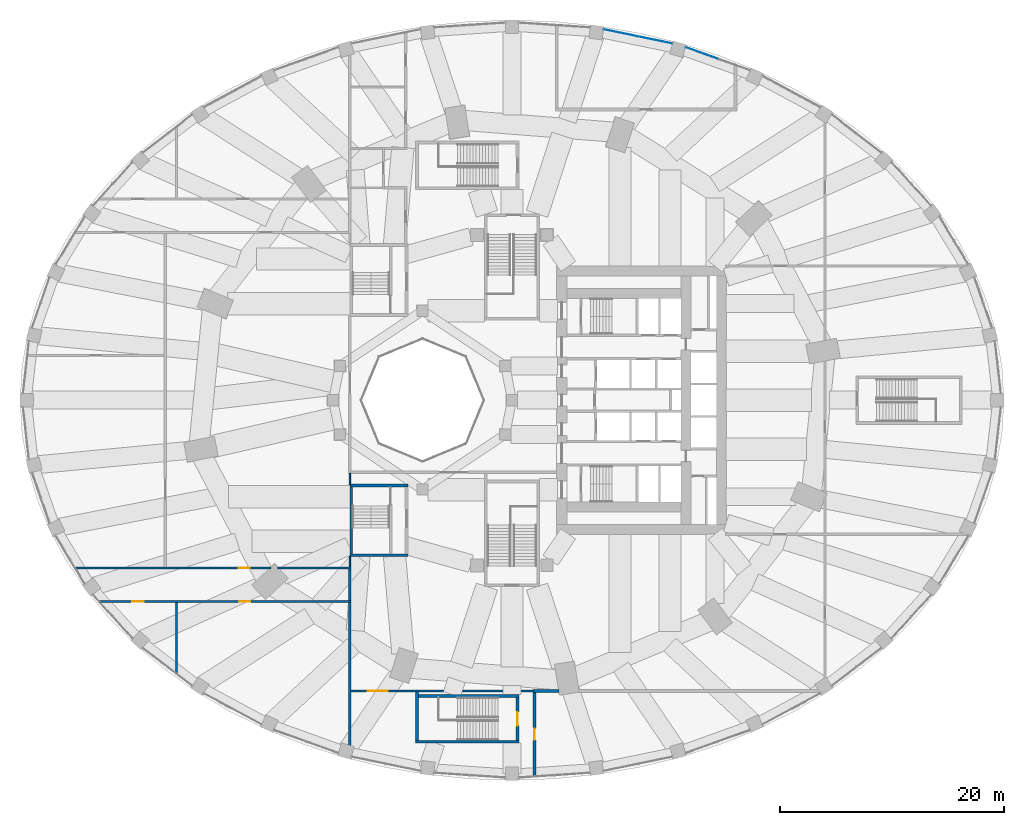
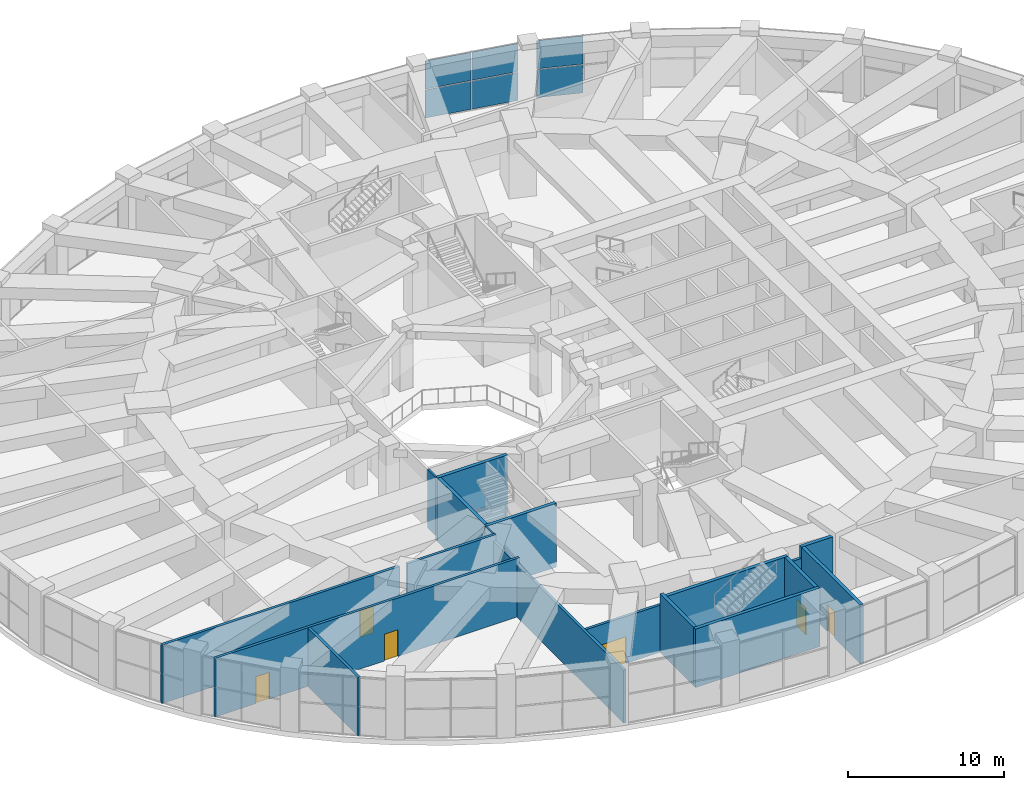
# One storey, part 21 of 32: 18 walls, 6 doors, 6 plates, 6 openings, 2 elements without a shape of their own.
"""IFC4 building model written with IfcOpenShell, lengths in metres."""

from ifc_helpers import new_model, si_unit, direction, frame, frame_2d, origin, origin_2d, place, context, subcontext, project, spatial, rectangle, extrude, material, layer, layer_set, type_object, element, fill, aggregate, save


model = new_model("IFC4")

# Units and contexts
model_context = context("Model", 3, precision=1e-05, world=origin(), true_north=direction((0.0, 1.0)))
body_context = subcontext(model_context, "Body", "Model", "MODEL_VIEW")
ifc_project = project(units=[si_unit("LENGTHUNIT", "METRE"), si_unit("AREAUNIT", "SQUARE_METRE"), si_unit("VOLUMEUNIT", "CUBIC_METRE"), si_unit("PLANEANGLEUNIT", "RADIAN"), si_unit("MASSUNIT", "GRAM", prefix="KILO")], contexts=[model_context])

# Site, building, storey
site_placement = place(None, origin())
site = spatial("IfcSite", under=ifc_project, at=site_placement, CompositionType="ELEMENT")
building_placement = place(site_placement, origin())
building = spatial("IfcBuilding", under=site, at=building_placement, Name="Taillehof Tower", CompositionType="ELEMENT")
storey_placement = place(building_placement, frame((0.0, 0.0, 7.5)))
storey = spatial("IfcBuildingStorey", under=building, at=storey_placement, Name="L01", CompositionType="ELEMENT", Elevation=7.5)

# Curtain wall, plates
ifc_material_1 = material(Name="Aluminium curtain wall with Clear low-emissivity double glazing", Category="aluminium")
curtain_wall_type = type_object("IfcCurtainWallType", Name="Podium window wall curtain wall", PredefinedType="USERDEFINED", material=ifc_material_1)
curtain_wall_1_placement = place(storey_placement, origin())
curtain_wall_1 = element("IfcCurtainWall", 1, at=curtain_wall_1_placement, inside=storey, type_object=curtain_wall_type, Name="Podium window wall L01 bay 7", ObjectType="WINDOW WALL", PredefinedType="USERDEFINED")
ifc_material_2 = material(Name="Clear low-emissivity double glazing", Category="glass")
ifc_layer_1 = layer(ifc_material_2, 0.028076171875)
ifc_layer_set_1 = layer_set([ifc_layer_1], Name="Podium window wall glass panel 28")
plate_type = type_object("IfcPlateType", Name="Podium window wall glass panel 28", PredefinedType="CURTAIN_PANEL", material=ifc_layer_set_1)
plate_1_placement = place(storey_placement, frame((16.962646484375, 31.048583984375, 0.06005859375), z_axis=(0.0, 0.0, 1.0), x_axis=(-0.94121845058, 0.337798502496, 0.0)))
plate_1 = element("IfcPlate", 2, at=plate_1_placement, type_object=plate_type, Name="CT207 panel 2.1", PredefinedType="CURTAIN_PANEL", context=body_context, shape_type="SweptSolid", body=[
    extrude(rectangle(XDim=3.009765625, YDim=0.028076171875, at=origin_2d()), origin(), (0.0, 0.0, 1.0), 2.205078125),
])
plate_2_placement = place(storey_placement, frame((16.962646484375, 31.048583984375, 2.324951171875), z_axis=(0.0, 0.0, 1.0), x_axis=(-0.94121845058, 0.337798502496, 0.0)))
plate_2 = element("IfcPlate", 3, at=plate_2_placement, type_object=plate_type, Name="CT207 panel 2.2", PredefinedType="CURTAIN_PANEL", context=body_context, shape_type="SweptSolid", body=[
    extrude(rectangle(XDim=3.009765625, YDim=0.028076171875, at=origin_2d()), origin(), (0.0, 0.0, 1.0), 2.205078125),
])
aggregate(curtain_wall_1, [plate_1, plate_2])

curtain_wall_2_placement = place(storey_placement, origin())
curtain_wall_2 = element("IfcCurtainWall", 4, at=curtain_wall_2_placement, inside=storey, type_object=curtain_wall_type, Name="Podium window wall L01 bay 8", ObjectType="WINDOW WALL", PredefinedType="USERDEFINED")
plate_3_placement = place(storey_placement, frame((12.81689453125, 32.210693359375, 0.06005859375), z_axis=(0.0, 0.0, 1.0), x_axis=(-0.97939047099, 0.201976001877, 0.0)))
plate_3 = element("IfcPlate", 5, at=plate_3_placement, type_object=plate_type, Name="CT208 panel 1.1", PredefinedType="CURTAIN_PANEL", context=body_context, shape_type="SweptSolid", body=[
    extrude(rectangle(XDim=3.0966796875, YDim=0.028076171875, at=origin_2d()), origin(), (0.0, 0.0, 1.0), 2.205078125),
])
plate_4_placement = place(storey_placement, frame((12.81689453125, 32.210693359375, 2.324951171875), z_axis=(0.0, 0.0, 1.0), x_axis=(-0.97939047099, 0.201976001877, 0.0)))
plate_4 = element("IfcPlate", 6, at=plate_4_placement, type_object=plate_type, Name="CT208 panel 1.2", PredefinedType="CURTAIN_PANEL", context=body_context, shape_type="SweptSolid", body=[
    extrude(rectangle(XDim=3.0966796875, YDim=0.028076171875, at=origin_2d()), origin(), (0.0, 0.0, 1.0), 2.205078125),
])
plate_5_placement = place(storey_placement, frame((9.72509765625, 32.84814453125, 0.06005859375), z_axis=(0.0, 0.0, 1.0), x_axis=(-0.97939047099, 0.201976001877, 0.0)))
plate_5 = element("IfcPlate", 7, at=plate_5_placement, type_object=plate_type, Name="CT208 panel 2.1", PredefinedType="CURTAIN_PANEL", context=body_context, shape_type="SweptSolid", body=[
    extrude(rectangle(XDim=3.0966796875, YDim=0.028076171875, at=origin_2d()), origin(), (0.0, 0.0, 1.0), 2.205078125),
])
plate_6_placement = place(storey_placement, frame((9.72509765625, 32.84814453125, 2.324951171875), z_axis=(0.0, 0.0, 1.0), x_axis=(-0.97939047099, 0.201976001877, 0.0)))
plate_6 = element("IfcPlate", 8, at=plate_6_placement, type_object=plate_type, Name="CT208 panel 2.2", PredefinedType="CURTAIN_PANEL", context=body_context, shape_type="SweptSolid", body=[
    extrude(rectangle(XDim=3.0966796875, YDim=0.028076171875, at=origin_2d()), origin(), (0.0, 0.0, 1.0), 2.205078125),
])
aggregate(curtain_wall_2, [plate_3, plate_4, plate_5, plate_6])

# Wall, opening, door
ifc_material_3 = material(Name="Calcium silicate blockwork", Category="masonry")
ifc_layer_2 = layer(ifc_material_3, 0.199951171875)
ifc_layer_set_2 = layer_set([ifc_layer_2], Name="Compartment wall EI 60 200 mm")
wall_type_1 = type_object("IfcWallType", Name="Compartment wall EI 60 200 mm", PredefinedType="PARTITIONING", material=ifc_layer_set_2)
wall_1_placement = place(storey_placement, frame((-14.39990234375, -26.0, 0.0), z_axis=(0.0, 0.0, 1.0), x_axis=(1.0, 0.0, 0.0)))
wall_1 = element("IfcWall", 9, at=wall_1_placement, inside=storey, type_object=wall_type_1, Name="Wall L01-16 / L01-17", PredefinedType="PARTITIONING", context=body_context, shape_type="SweptSolid", body=[
    extrude(rectangle(XDim=16.27490234375, YDim=0.199951171875, at=frame_2d((8.137451171875, 0.0))), origin(), (0.0, 0.0, 1.0), 3.68994140625),
])
opening_1_placement = place(wall_1_placement, frame((1.487060546875, 0.0, 0.0)))
opening_1 = element("IfcOpeningElement", 10, at=opening_1_placement, cuts=wall_1, Name="Opening D0143", PredefinedType="OPENING", context=body_context, shape_type="SweptSolid", body=[
    extrude(rectangle(XDim=1.800048828125, YDim=2.10009765625, at=frame_2d((0.89990234375, 1.050048828125))), frame((0.0, 0.10986328125, 0.0), z_axis=(0.0, -1.0, 0.0), x_axis=(1.0, 0.0, 0.0)), (0.0, 0.0, 1.0), 0.219970703125),
])
ifc_material_4 = material(Name="Hollow metal door set")
door_type_1 = type_object("IfcDoorType", Name="Double door 1800 x 2100 FD60S", OperationType="DOUBLE_DOOR_SINGLE_SWING", PredefinedType="DOOR", material=ifc_material_4)
door_1_placement = place(opening_1_placement, origin())
door_1 = element("IfcDoor", 11, at=door_1_placement, inside=storey, type_object=door_type_1, Name="Door D0143", OperationType="DOUBLE_DOOR_SINGLE_SWING", OverallHeight=2.10009765625, OverallWidth=1.800048828125, PredefinedType="DOOR", context=body_context, shape_type="SweptSolid", body=[
    extrude(rectangle(XDim=1.800048828125, YDim=2.10009765625, at=frame_2d((0.89990234375, 1.050048828125))), frame((0.0, 0.02490234375, 0.0), z_axis=(0.0, -1.0, 0.0), x_axis=(1.0, 0.0, 0.0)), (0.0, 0.0, 1.0), 0.050048828125),
])
fill(opening_1, door_1)

# Wall, openings, doors
wall_2_placement = place(storey_placement, frame((-36.981689453125, -18.0, 0.0), z_axis=(0.0, 0.0, 1.0), x_axis=(1.0, 0.0, 0.0)))
wall_2 = element("IfcWall", 12, at=wall_2_placement, inside=storey, type_object=wall_type_1, Name="Wall L01-22 / L01-25", PredefinedType="PARTITIONING", context=body_context, shape_type="SweptSolid", body=[
    extrude(rectangle(XDim=22.581787109375, YDim=0.199951171875, at=frame_2d((11.291015625, 0.0))), origin(), (0.0, 0.0, 1.0), 4.590087890625),
])
opening_2_placement = place(wall_2_placement, frame((3.040771484375, 0.0, 0.0)))
opening_2 = element("IfcOpeningElement", 13, at=opening_2_placement, cuts=wall_2, Name="Opening D0145", PredefinedType="OPENING", context=body_context, shape_type="SweptSolid", body=[
    extrude(rectangle(XDim=1.0, YDim=2.10009765625, at=frame_2d((0.5, 1.050048828125))), frame((0.0, 0.10986328125, 0.0), z_axis=(0.0, -1.0, 0.0), x_axis=(1.0, 0.0, 0.0)), (0.0, 0.0, 1.0), 0.219970703125),
])
opening_3_placement = place(wall_2_placement, frame((12.581787109375, 0.0, 0.0)))
opening_3 = element("IfcOpeningElement", 14, at=opening_3_placement, cuts=wall_2, Name="Opening D0146", PredefinedType="OPENING", context=body_context, shape_type="SweptSolid", body=[
    extrude(rectangle(XDim=1.0, YDim=2.10009765625, at=frame_2d((0.5, 1.050048828125))), frame((0.0, 0.10986328125, 0.0), z_axis=(0.0, -1.0, 0.0), x_axis=(1.0, 0.0, 0.0)), (0.0, 0.0, 1.0), 0.219970703125),
])
ifc_material_5 = material(Name="Hollow metal door set")
door_type_2 = type_object("IfcDoorType", Name="Single door 1000 x 2100 FD60S", OperationType="SINGLE_SWING_LEFT", PredefinedType="DOOR", material=ifc_material_5)
door_2_placement = place(opening_2_placement, origin())
door_2 = element("IfcDoor", 15, at=door_2_placement, inside=storey, type_object=door_type_2, Name="Door D0145", OperationType="SINGLE_SWING_LEFT", OverallHeight=2.10009765625, OverallWidth=1.0, PredefinedType="DOOR", context=body_context, shape_type="SweptSolid", body=[
    extrude(rectangle(XDim=1.0, YDim=2.10009765625, at=frame_2d((0.5, 1.050048828125))), frame((0.0, 0.02490234375, 0.0), z_axis=(0.0, -1.0, 0.0), x_axis=(1.0, 0.0, 0.0)), (0.0, 0.0, 1.0), 0.050048828125),
])
fill(opening_2, door_2)
door_3_placement = place(opening_3_placement, origin())
door_3 = element("IfcDoor", 16, at=door_3_placement, inside=storey, type_object=door_type_2, Name="Door D0146", OperationType="SINGLE_SWING_LEFT", OverallHeight=2.10009765625, OverallWidth=1.0, PredefinedType="DOOR", context=body_context, shape_type="SweptSolid", body=[
    extrude(rectangle(XDim=1.0, YDim=2.10009765625, at=frame_2d((0.5, 1.050048828125))), frame((0.0, 0.02490234375, 0.0), z_axis=(0.0, -1.0, 0.0), x_axis=(1.0, 0.0, 0.0)), (0.0, 0.0, 1.0), 0.050048828125),
])
fill(opening_3, door_3)

# Wall, opening, door
wall_3_placement = place(storey_placement, frame((-39.165283203125, -15.0, 0.0), z_axis=(0.0, 0.0, 1.0), x_axis=(1.0, 0.0, 0.0)))
wall_3 = element("IfcWall", 17, at=wall_3_placement, inside=storey, type_object=wall_type_1, Name="Wall L01-18 / L01-22", PredefinedType="PARTITIONING", context=body_context, shape_type="SweptSolid", body=[
    extrude(rectangle(XDim=17.6220703125, YDim=0.199951171875, at=frame_2d((8.81103515625, 0.0))), origin(), (0.0, 0.0, 1.0), 4.590087890625),
])
opening_4_placement = place(wall_3_placement, frame((14.72216796875, 0.0, 0.0)))
opening_4 = element("IfcOpeningElement", 18, at=opening_4_placement, cuts=wall_3, Name="Opening D0148", PredefinedType="OPENING", context=body_context, shape_type="SweptSolid", body=[
    extrude(rectangle(XDim=1.0, YDim=2.10009765625, at=frame_2d((0.5, 1.050048828125))), frame((0.0, 0.10986328125, 0.0), z_axis=(0.0, -1.0, 0.0), x_axis=(1.0, 0.0, 0.0)), (0.0, 0.0, 1.0), 0.219970703125),
])
door_4_placement = place(opening_4_placement, origin())
door_4 = element("IfcDoor", 19, at=door_4_placement, inside=storey, type_object=door_type_2, Name="Door D0148", OperationType="SINGLE_SWING_RIGHT", OverallHeight=2.10009765625, OverallWidth=1.0, PredefinedType="DOOR", context=body_context, shape_type="SweptSolid", body=[
    extrude(rectangle(XDim=1.0, YDim=2.10009765625, at=frame_2d((0.5, 1.050048828125))), frame((0.0, 0.02490234375, 0.0), z_axis=(0.0, -1.0, 0.0), x_axis=(1.0, 0.0, 0.0)), (0.0, 0.0, 1.0), 0.050048828125),
])
fill(opening_4, door_4)

# Walls
wall_4_placement = place(storey_placement, frame((-20.97119140625, -15.0, 0.0), z_axis=(0.0, 0.0, 1.0), x_axis=(1.0, 0.0, 0.0)))
element("IfcWall", 20, at=wall_4_placement, inside=storey, type_object=wall_type_1, Name="Wall L01-20 / L01-22", PredefinedType="PARTITIONING", context=body_context, shape_type="SweptSolid", body=[
    extrude(rectangle(XDim=6.5712890625, YDim=0.199951171875, at=frame_2d((3.28564453125, 0.0))), origin(), (0.0, 0.0, 1.0), 4.590087890625),
])
wall_5_placement = place(storey_placement, frame((-30.0, -24.540283203125, 0.0), z_axis=(0.0, 0.0, 1.0), x_axis=(0.0, 1.0, 0.0)))
element("IfcWall", 21, at=wall_5_placement, inside=storey, type_object=wall_type_1, Name="Wall L01-25 / L01-26", PredefinedType="PARTITIONING", context=body_context, shape_type="SweptSolid", body=[
    extrude(rectangle(XDim=6.440185546875, YDim=0.199951171875, at=frame_2d((3.22021484375, 0.0))), origin(), (0.0, 0.0, 1.0), 4.590087890625),
])
wall_6_placement = place(storey_placement, frame((-14.5, -31.802978515625, 0.0), z_axis=(0.0, 0.0, 1.0), x_axis=(0.0, 1.0, 0.0)))
element("IfcWall", 22, at=wall_6_placement, inside=storey, type_object=wall_type_1, Name="Wall L01-16 / L01-26", PredefinedType="PARTITIONING", context=body_context, shape_type="SweptSolid", body=[
    extrude(rectangle(XDim=13.702880859375, YDim=0.199951171875, at=frame_2d((6.8515625, 0.0))), origin(), (0.0, 0.0, 1.0), 4.139892578125),
])
wall_7_placement = place(storey_placement, frame((-14.5, -17.89990234375, 0.0), z_axis=(0.0, 0.0, 1.0), x_axis=(0.0, 1.0, 0.0)))
element("IfcWall", 23, at=wall_7_placement, inside=storey, type_object=wall_type_1, Name="Wall L01-17 / L01-22", PredefinedType="PARTITIONING", context=body_context, shape_type="SweptSolid", body=[
    extrude(rectangle(XDim=2.7998046875, YDim=0.199951171875, at=frame_2d((1.39990234375, 0.0))), origin(), (0.0, 0.0, 1.0), 4.139892578125),
])
ifc_material_6 = material(Name="Calcium silicate blockwork", Category="masonry")
ifc_layer_3 = layer(ifc_material_6, 0.25)
ifc_layer_set_3 = layer_set([ifc_layer_3], Name="Fire-resisting wall EI 120 250 mm")
wall_type_2 = type_object("IfcWallType", Name="Fire-resisting wall EI 120 250 mm", PredefinedType="PARTITIONING", material=ifc_layer_set_3)
wall_8_placement = place(storey_placement, frame((1.875, -26.0, 0.0), z_axis=(0.0, 0.0, 1.0), x_axis=(1.0, 0.0, 0.0)))
element("IfcWall", 24, at=wall_8_placement, inside=storey, type_object=wall_type_2, Name="Wall L01-15 / L01-17", PredefinedType="PARTITIONING", context=body_context, shape_type="SweptSolid", body=[
    extrude(rectangle(XDim=2.3203125, YDim=0.25, at=frame_2d((1.16015625, 0.0))), origin(), (0.0, 0.0, 1.0), 4.590087890625),
])

# Wall, opening, door
wall_9_placement = place(storey_placement, frame((2.0, -33.638916015625, 0.0), z_axis=(0.0, 0.0, 1.0), x_axis=(0.0, 1.0, 0.0)))
wall_9 = element("IfcWall", 25, at=wall_9_placement, inside=storey, type_object=wall_type_2, Name="Wall L01-15 / L01-16", PredefinedType="PARTITIONING", context=body_context, shape_type="SweptSolid", body=[
    extrude(rectangle(XDim=7.513916015625, YDim=0.25, at=frame_2d((3.7568359375, 0.0))), origin(), (0.0, 0.0, 1.0), 4.590087890625),
])
opening_5_placement = place(wall_9_placement, frame((3.257080078125, 0.0, 0.0)))
opening_5 = element("IfcOpeningElement", 26, at=opening_5_placement, cuts=wall_9, Name="Opening D0141", PredefinedType="OPENING", context=body_context, shape_type="SweptSolid", body=[
    extrude(rectangle(XDim=1.0, YDim=2.10009765625, at=frame_2d((0.5, 1.050048828125))), frame((0.0, 0.135009765625, 0.0), z_axis=(0.0, -1.0, 0.0), x_axis=(1.0, 0.0, 0.0)), (0.0, 0.0, 1.0), 0.27001953125),
])
ifc_material_7 = material(Name="Hollow metal door set")
door_type_3 = type_object("IfcDoorType", Name="Single door 1000 x 2100 FD120S", OperationType="SINGLE_SWING_LEFT", PredefinedType="DOOR", material=ifc_material_7)
door_5_placement = place(opening_5_placement, origin())
door_5 = element("IfcDoor", 27, at=door_5_placement, inside=storey, type_object=door_type_3, Name="Door D0141", OperationType="SINGLE_SWING_LEFT", OverallHeight=2.10009765625, OverallWidth=1.0, PredefinedType="DOOR", context=body_context, shape_type="SweptSolid", body=[
    extrude(rectangle(XDim=1.0, YDim=2.10009765625, at=frame_2d((0.5, 1.050048828125))), frame((0.0, 0.02490234375, 0.0), z_axis=(0.0, -1.0, 0.0), x_axis=(1.0, 0.0, 0.0)), (0.0, 0.0, 1.0), 0.050048828125),
])
fill(opening_5, door_5)

# Walls
ifc_material_8 = material(Name="Gypsum board partition on steel studs", Category="steel")
ifc_layer_4 = layer(ifc_material_8, 0.125)
ifc_layer_set_4 = layer_set([ifc_layer_4], Name="Partition wall EI 30 125 mm")
wall_type_3 = type_object("IfcWallType", Name="Partition wall EI 30 125 mm", PredefinedType="PARTITIONING", material=ifc_layer_set_4)
wall_10_placement = place(storey_placement, frame((-14.5, -14.89990234375, 0.0), z_axis=(0.0, 0.0, 1.0), x_axis=(0.0, 1.0, 0.0)))
element("IfcWall", 28, at=wall_10_placement, inside=storey, type_object=wall_type_3, Name="Wall L01-17 / L01-20", PredefinedType="PARTITIONING", context=body_context, shape_type="SweptSolid", body=[
    extrude(rectangle(XDim=0.96240234375, YDim=0.125, at=frame_2d((0.481201171875, 0.0))), origin(), (0.0, 0.0, 1.0), 4.590087890625),
])
wall_11_placement = place(storey_placement, frame((-14.5, -7.5625, 0.0), z_axis=(0.0, 0.0, 1.0), x_axis=(0.0, 1.0, 0.0)))
element("IfcWall", 29, at=wall_11_placement, inside=storey, type_object=wall_type_3, Name="Wall L01-17 / L01-20", PredefinedType="PARTITIONING", context=body_context, shape_type="SweptSolid", body=[
    extrude(rectangle(XDim=1.012451171875, YDim=0.125, at=frame_2d((0.50634765625, 0.0))), origin(), (0.0, 0.0, 1.0), 4.590087890625),
])
ifc_material_9 = material(Name="Concrete C50/60", Category="concrete")
ifc_layer_5 = layer(ifc_material_9, 0.25)
ifc_layer_set_5 = layer_set([ifc_layer_5], Name="Stair wall C50/60 250")
wall_type_4 = type_object("IfcWallType", Name="Stair wall C50/60 250", PredefinedType="SHEAR", material=ifc_layer_set_5)
wall_12_placement = place(storey_placement, frame((-14.375, -13.75, -0.409912109375), z_axis=(0.0, 0.0, 1.0), x_axis=(0.0, 1.0, 0.0)))
element("IfcWall", 30, at=wall_12_placement, inside=storey, type_object=wall_type_4, Name="Stair wall SC", PredefinedType="SHEAR", context=body_context, shape_type="SweptSolid", body=[
    extrude(rectangle(XDim=6.0, YDim=0.25, at=frame_2d((3.0, 0.0))), origin(), (0.0, 0.0, 1.0), 5.0),
])
for number, where, z_axis, x_axis, name in (
    (31, (-14.5, -7.625, -0.409912109375), (0.0, 0.0, 1.0), (1.0, 0.0, 0.0), "Stair wall SC"),
    (32, (-14.5, -13.875, -0.409912109375), (0.0, 0.0, 1.0), (1.0, 0.0, 0.0), "Stair wall SC"),
):
    element("IfcWall", number, at=place(storey_placement, frame(where, z_axis=z_axis, x_axis=x_axis)), inside=storey, type_object=wall_type_4, Name=name, PredefinedType="SHEAR", context=body_context, shape_type="SweptSolid", body=[
        extrude(rectangle(XDim=5.199951171875, YDim=0.25, at=frame_2d((2.60009765625, 0.0))), origin(), (0.0, 0.0, 1.0), 5.0),
    ])
ifc_material_10 = material(Name="Concrete C40/50", Category="concrete")
ifc_layer_6 = layer(ifc_material_10, 0.25)
ifc_layer_set_6 = layer_set([ifc_layer_6], Name="Stair wall EI 120 250 mm")
wall_type_5 = type_object("IfcWallType", Name="Stair wall EI 120 250 mm", PredefinedType="SOLIDWALL", material=ifc_layer_set_6)
wall_13_placement = place(storey_placement, frame((-8.610107421875, -30.550048828125, 0.0), z_axis=(0.0, 0.0, 1.0), x_axis=(1.0, 0.0, 0.0)))
element("IfcWall", 33, at=wall_13_placement, inside=storey, type_object=wall_type_5, Name="Wall L01-04 / L01-16", PredefinedType="SOLIDWALL", context=body_context, shape_type="SweptSolid", body=[
    extrude(rectangle(XDim=9.22021484375, YDim=0.25, at=frame_2d((4.610107421875, 0.0))), origin(), (0.0, 0.0, 1.0), 4.590087890625),
])
wall_14_placement = place(storey_placement, frame((-8.360107421875, -26.449951171875, 0.0), z_axis=(0.0, 0.0, 1.0), x_axis=(1.0, 0.0, 0.0)))
element("IfcWall", 34, at=wall_14_placement, inside=storey, type_object=wall_type_5, Name="Wall L01-04 / L01-16", PredefinedType="SOLIDWALL", context=body_context, shape_type="SweptSolid", body=[
    extrude(rectangle(XDim=8.97021484375, YDim=0.25, at=frame_2d((4.485107421875, 0.0))), origin(), (0.0, 0.0, 1.0), 4.590087890625),
])
wall_15_placement = place(storey_placement, frame((-8.485107421875, -30.425048828125, 0.0), z_axis=(0.0, 0.0, 1.0), x_axis=(0.0, 1.0, 0.0)))
element("IfcWall", 35, at=wall_15_placement, inside=storey, type_object=wall_type_5, Name="Wall L01-04 / L01-16", PredefinedType="SOLIDWALL", context=body_context, shape_type="SweptSolid", body=[
    extrude(rectangle(XDim=4.324951171875, YDim=0.25, at=frame_2d((2.16259765625, 0.0))), origin(), (0.0, 0.0, 1.0), 4.590087890625),
])

# Wall, opening, door
wall_16_placement = place(storey_placement, frame((0.485107421875, -30.425048828125, 0.0), z_axis=(0.0, 0.0, 1.0), x_axis=(0.0, 1.0, 0.0)))
wall_16 = element("IfcWall", 36, at=wall_16_placement, inside=storey, type_object=wall_type_5, Name="Wall L01-04 / L01-16", PredefinedType="SOLIDWALL", context=body_context, shape_type="SweptSolid", body=[
    extrude(rectangle(XDim=3.85009765625, YDim=0.25, at=frame_2d((1.925048828125, 0.0))), origin(), (0.0, 0.0, 1.0), 4.590087890625),
])
opening_6_placement = place(wall_16_placement, frame((1.324951171875, 0.0, 0.0)))
opening_6 = element("IfcOpeningElement", 37, at=opening_6_placement, cuts=wall_16, Name="Opening D0142", PredefinedType="OPENING", context=body_context, shape_type="SweptSolid", body=[
    extrude(rectangle(XDim=1.199951171875, YDim=2.10009765625, at=frame_2d((0.60009765625, 1.050048828125))), frame((0.0, 0.135009765625, 0.0), z_axis=(0.0, -1.0, 0.0), x_axis=(1.0, 0.0, 0.0)), (0.0, 0.0, 1.0), 0.27001953125),
])
ifc_material_11 = material(Name="Hollow metal door set")
door_type_4 = type_object("IfcDoorType", Name="Single door 1200 x 2100 FD120S", OperationType="SINGLE_SWING_LEFT", PredefinedType="DOOR", material=ifc_material_11)
door_6_placement = place(opening_6_placement, origin())
door_6 = element("IfcDoor", 38, at=door_6_placement, inside=storey, type_object=door_type_4, Name="Door D0142", OperationType="SINGLE_SWING_RIGHT", OverallHeight=2.10009765625, OverallWidth=1.199951171875, PredefinedType="DOOR", context=body_context, shape_type="SweptSolid", body=[
    extrude(rectangle(XDim=1.199951171875, YDim=2.10009765625, at=frame_2d((0.60009765625, 1.050048828125))), frame((0.0, 0.02490234375, 0.0), z_axis=(0.0, -1.0, 0.0), x_axis=(1.0, 0.0, 0.0)), (0.0, 0.0, 1.0), 0.050048828125),
])
fill(opening_6, door_6)

save(model, "model.ifc")
